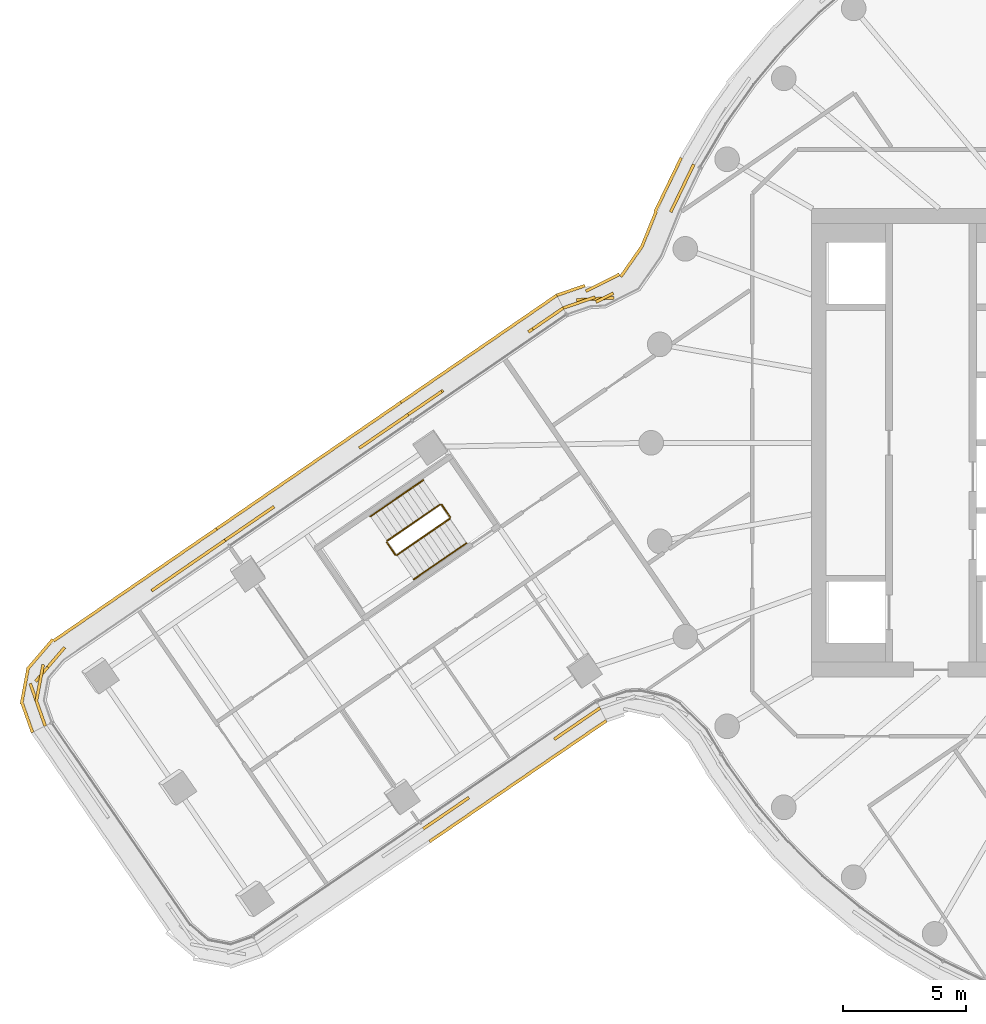
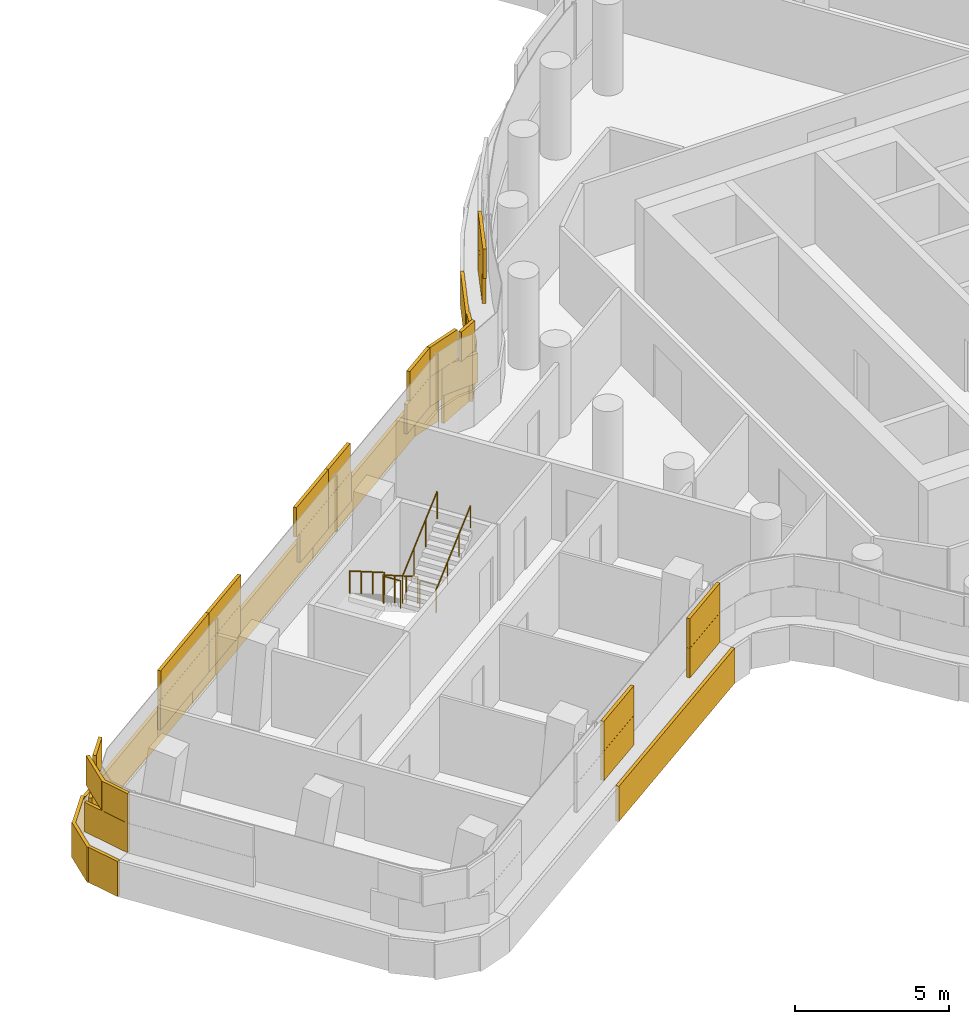
# One storey, part 29 of 33: 6 railings, 5 coverings.
"""IFC4 building model written with IfcOpenShell, lengths in metres."""

from ifc_helpers import new_model, si_unit, direction, frame, origin, origin_2d, place, context, subcontext, project, spatial, rectangle, circle, extrude, material, layer, layer_set, type_object, element, save


model = new_model("IFC4")

# Units and contexts
model_context = context("Model", 3, precision=1e-05, world=origin(), true_north=direction((0.0, 1.0)))
body_context = subcontext(model_context, "Body", "Model", "MODEL_VIEW")
ifc_project = project(units=[si_unit("LENGTHUNIT", "METRE"), si_unit("AREAUNIT", "SQUARE_METRE"), si_unit("VOLUMEUNIT", "CUBIC_METRE"), si_unit("PLANEANGLEUNIT", "RADIAN"), si_unit("MASSUNIT", "GRAM", prefix="KILO")], contexts=[model_context])

# Site, building, storey
site_placement = place(None, origin())
site = spatial("IfcSite", under=ifc_project, at=site_placement, CompositionType="ELEMENT")
building_placement = place(site_placement, origin())
building = spatial("IfcBuilding", under=site, at=building_placement, Name="Tamarind Cross Interchange Tower", CompositionType="ELEMENT")
storey_placement = place(building_placement, frame((0.0, 0.0, 159.25)))
storey = spatial("IfcBuildingStorey", under=building, at=storey_placement, Name="L39", CompositionType="ELEMENT", Elevation=159.25)

# Railings
ifc_material_1 = material(Name="Stair guard")
railing_type_1 = type_object("IfcRailingType", Name="Stair guard", PredefinedType="GUARDRAIL", material=ifc_material_1)
railing_1_placement = place(storey_placement, frame((-31.562744140625, -2.503173828125, 0.17041015625)))
element("IfcRailing", 1, at=railing_1_placement, inside=storey, type_object=railing_type_1, Name="L39 ST5 stair guard 1", PredefinedType="GUARDRAIL", context=body_context, shape_type="SweptSolid", body=[
    extrude(circle(Radius=0.02392578125, at=origin_2d()), frame((0.0, 0.0, 1.076171875), z_axis=(-0.689386001796, -0.473437544689, 0.548273500916), x_axis=(0.566110318979, -0.824329489188, 0.0)), (0.0, 0.0, 1.0), 3.109130859375),
    extrude(circle(Radius=0.02099609375, at=origin_2d()), origin(), (0.0, 0.0, 1.0), 1.052001953125),
    extrude(circle(Radius=0.02099609375, at=origin_2d()), frame((-0.71435546875, -0.49072265625, 0.568115234375)), (0.0, 0.0, 1.0), 1.052001953125),
    extrude(circle(Radius=0.02099609375, at=origin_2d()), frame((-1.428955078125, -0.981201171875, 1.136474609375)), (0.0, 0.0, 1.0), 1.052001953125),
    extrude(circle(Radius=0.02099609375, at=origin_2d()), frame((-2.143310546875, -1.471923828125, 1.70458984375)), (0.0, 0.0, 1.0), 1.052001953125),
])
railing_2_placement = place(storey_placement, frame((-33.718994140625, -4.04443359375, 1.875)))
element("IfcRailing", 2, at=railing_2_placement, inside=storey, type_object=railing_type_1, Name="L39 ST5 stair guard 2", PredefinedType="GUARDRAIL", context=body_context, shape_type="SweptSolid", body=[
    extrude(circle(Radius=0.02392578125, at=origin_2d()), frame((0.0, 0.0, 1.076171875), z_axis=(0.566010630303, -0.824397941764, 0.0), x_axis=(0.824397941764, 0.566010630303, 0.0)), (0.0, 0.0, 1.0), 0.60009765625),
    extrude(circle(Radius=0.02099609375, at=origin_2d()), origin(), (0.0, 0.0, 1.0), 1.052001953125),
    extrude(circle(Radius=0.02099609375, at=origin_2d()), frame((0.339599609375, -0.49462890625, 0.0)), (0.0, 0.0, 1.0), 1.052001953125),
])
railing_3_placement = place(storey_placement, frame((-33.309814453125, -4.552001953125, 2.04541015625)))
element("IfcRailing", 3, at=railing_3_placement, inside=storey, type_object=railing_type_1, Name="L39 ST5 stair guard 3", PredefinedType="GUARDRAIL", context=body_context, shape_type="SweptSolid", body=[
    extrude(circle(Radius=0.02392578125, at=origin_2d()), frame((0.0, 0.0, 1.076171875), z_axis=(0.689386001796, 0.473437544689, 0.548273500916), x_axis=(-0.566110318979, 0.824329489188, 0.0)), (0.0, 0.0, 1.0), 3.109130859375),
    extrude(circle(Radius=0.02099609375, at=origin_2d()), origin(), (0.0, 0.0, 1.0), 1.052001953125),
    extrude(circle(Radius=0.02099609375, at=origin_2d()), frame((0.71435546875, 0.49072265625, 0.568115234375)), (0.0, 0.0, 1.0), 1.052001953125),
    extrude(circle(Radius=0.02099609375, at=origin_2d()), frame((1.428955078125, 0.981201171875, 1.136474609375)), (0.0, 0.0, 1.0), 1.052001953125),
    extrude(circle(Radius=0.02099609375, at=origin_2d()), frame((2.143310546875, 1.471923828125, 1.70458984375)), (0.0, 0.0, 1.0), 1.052001953125),
])
railing_4_placement = place(storey_placement, frame((-31.4931640625, -2.51611328125, 0.0)))
element("IfcRailing", 4, at=railing_4_placement, inside=storey, type_object=railing_type_1, Name="L39 ST5 stair guard 4", PredefinedType="GUARDRAIL", context=body_context, shape_type="SweptSolid", body=[
    extrude(circle(Radius=0.02392578125, at=origin_2d()), frame((0.0, 0.0, 1.076171875), z_axis=(0.566010630303, -0.824397941764, 0.0), x_axis=(0.824397941764, 0.566010630303, 0.0)), (0.0, 0.0, 1.0), 0.60009765625),
    extrude(circle(Radius=0.02099609375, at=origin_2d()), origin(), (0.0, 0.0, 1.0), 1.052001953125),
    extrude(circle(Radius=0.02099609375, at=origin_2d()), frame((0.339599609375, -0.49462890625, 0.0)), (0.0, 0.0, 1.0), 1.052001953125),
])
ifc_material_2 = material(Name="Stair handrail")
railing_type_2 = type_object("IfcRailingType", Name="Stair handrail", PredefinedType="HANDRAIL", material=ifc_material_2)
railing_5_placement = place(storey_placement, frame((-32.2421875, -1.513916015625, 0.17041015625)))
element("IfcRailing", 5, at=railing_5_placement, inside=storey, type_object=railing_type_2, Name="L39 ST5 stair handrail 1", PredefinedType="HANDRAIL", context=body_context, shape_type="SweptSolid", body=[
    extrude(circle(Radius=0.02392578125, at=origin_2d()), frame((0.0, 0.0, 0.8759765625), z_axis=(-0.689386001796, -0.473437544689, 0.548273500916), x_axis=(0.566110318979, -0.824329489188, 0.0)), (0.0, 0.0, 1.0), 3.109130859375),
    extrude(circle(Radius=0.02099609375, at=origin_2d()), origin(), (0.0, 0.0, 1.0), 0.851806640625),
    extrude(circle(Radius=0.02099609375, at=origin_2d()), frame((-0.71435546875, -0.49072265625, 0.568115234375)), (0.0, 0.0, 1.0), 0.851806640625),
    extrude(circle(Radius=0.02099609375, at=origin_2d()), frame((-1.428955078125, -0.981201171875, 1.136474609375)), (0.0, 0.0, 1.0), 0.851806640625),
    extrude(circle(Radius=0.02099609375, at=origin_2d()), frame((-2.143310546875, -1.471923828125, 1.70458984375)), (0.0, 0.0, 1.0), 0.851806640625),
])
railing_6_placement = place(storey_placement, frame((-32.63037109375, -5.541259765625, 2.04541015625)))
element("IfcRailing", 6, at=railing_6_placement, inside=storey, type_object=railing_type_2, Name="L39 ST5 stair handrail 2", PredefinedType="HANDRAIL", context=body_context, shape_type="SweptSolid", body=[
    extrude(circle(Radius=0.02392578125, at=origin_2d()), frame((0.0, 0.0, 0.8759765625), z_axis=(0.689344791798, 0.473463174954, 0.54830318254), x_axis=(-0.56615414009, 0.824299393218, 0.0)), (0.0, 0.0, 1.0), 3.10888671875),
    extrude(circle(Radius=0.02099609375, at=origin_2d()), origin(), (0.0, 0.0, 1.0), 0.851806640625),
    extrude(circle(Radius=0.02099609375, at=origin_2d()), frame((0.71435546875, 0.49072265625, 0.568115234375)), (0.0, 0.0, 1.0), 0.851806640625),
    extrude(circle(Radius=0.02099609375, at=origin_2d()), frame((1.4287109375, 0.981201171875, 1.136474609375)), (0.0, 0.0, 1.0), 0.851806640625),
    extrude(circle(Radius=0.02099609375, at=origin_2d()), frame((2.14306640625, 1.471923828125, 1.70458984375)), (0.0, 0.0, 1.0), 0.851806640625),
])

# Coverings
ifc_material_3 = material(Name="Terracotta", Category="masonry")
ifc_layer = layer(ifc_material_3, 0.1201171875)
ifc_layer_set = layer_set([ifc_layer], Name="Terracotta")
covering_type = type_object("IfcCoveringType", Name="Terracotta baguette screen unit", PredefinedType="MOLDING", material=ifc_layer_set)
covering_1_placement = place(storey_placement, origin())
element("IfcCovering", 7, at=covering_1_placement, inside=storey, type_object=covering_type, Name="SCR-L39-01-01", PredefinedType="MOLDING", context=body_context, shape_type="SweptSolid", body=[
    extrude(rectangle(XDim=0.06640625, YDim=0.1201171875, at=origin_2d()), frame((-32.22412109375, -15.643798828125, 1.404052734375), z_axis=(0.0, 0.0, 1.0), x_axis=(0.825569418072, 0.564300572341, 0.0)), (0.0, 0.0, 1.0), 1.1669921875),
    extrude(rectangle(XDim=1.52001953125, YDim=0.1201171875, at=origin_2d()), frame((-31.581787109375, -15.20458984375, 1.404052734375), z_axis=(0.0, 0.0, 1.0), x_axis=(0.825569418072, 0.564300572341, 0.0)), (0.0, 0.0, 1.0), 1.1669921875),
    extrude(rectangle(XDim=0.6982421875, YDim=0.1201171875, at=origin_2d()), frame((-30.678466796875, -14.587158203125, 1.404052734375), z_axis=(0.0, 0.0, 1.0), x_axis=(0.825569418072, 0.564300572341, 0.0)), (0.0, 0.0, 1.0), 1.1669921875),
    extrude(rectangle(XDim=1.12158203125, YDim=0.1201171875, at=origin_2d()), frame((-26.468017578125, -11.709228515625, 1.404052734375), z_axis=(0.0, 0.0, 1.0), x_axis=(0.825569418072, 0.564300572341, 0.0)), (0.0, 0.0, 1.0), 1.1669921875),
    extrude(rectangle(XDim=1.14306640625, YDim=0.1201171875, at=origin_2d()), frame((-25.54150390625, -11.075927734375, 1.404052734375), z_axis=(0.0, 0.0, 1.0), x_axis=(0.825569418072, 0.564300572341, 0.0)), (0.0, 0.0, 1.0), 1.1669921875),
    extrude(rectangle(XDim=0.81640625, YDim=0.1201171875, at=origin_2d()), frame((-31.91455078125, -15.43212890625, 2.5791015625), z_axis=(0.0, 0.0, 1.0), x_axis=(0.825569418072, 0.564300572341, 0.0)), (0.0, 0.0, 1.0), 1.1669921875),
    extrude(rectangle(XDim=1.4482421875, YDim=0.1201171875, at=origin_2d()), frame((-30.988037109375, -14.798828125, 2.5791015625), z_axis=(0.0, 0.0, 1.0), x_axis=(0.825569418072, 0.564300572341, 0.0)), (0.0, 0.0, 1.0), 1.1669921875),
    extrude(rectangle(XDim=0.37158203125, YDim=0.1201171875, at=origin_2d()), frame((-26.777587890625, -11.9208984375, 2.5791015625), z_axis=(0.0, 0.0, 1.0), x_axis=(0.825569418072, 0.564300572341, 0.0)), (0.0, 0.0, 1.0), 1.1669921875),
    extrude(rectangle(XDim=1.52001953125, YDim=0.1201171875, at=origin_2d()), frame((-26.009033203125, -11.3955078125, 2.5791015625), z_axis=(0.0, 0.0, 1.0), x_axis=(0.825569418072, 0.564300572341, 0.0)), (0.0, 0.0, 1.0), 1.1669921875),
    extrude(rectangle(XDim=0.39306640625, YDim=0.1201171875, at=origin_2d()), frame((-25.23193359375, -10.8642578125, 2.5791015625), z_axis=(0.0, 0.0, 1.0), x_axis=(0.825569418072, 0.564300572341, 0.0)), (0.0, 0.0, 1.0), 1.1669921875),
    extrude(rectangle(XDim=0.06787109375, YDim=0.1201171875, at=origin_2d()), frame((-31.958740234375, -16.157470703125, 0.00390625), z_axis=(0.0, 0.0, 1.0), x_axis=(0.825569418072, 0.564300572341, 0.0)), (0.0, 0.0, 1.0), 1.39208984375),
    extrude(rectangle(XDim=1.52001953125, YDim=0.1201171875, at=origin_2d()), frame((-31.319580078125, -15.720703125, 0.00390625), z_axis=(0.0, 0.0, 1.0), x_axis=(0.825569418072, 0.564300572341, 0.0)), (0.0, 0.0, 1.0), 1.39208984375),
    extrude(rectangle(XDim=1.52001953125, YDim=0.1201171875, at=origin_2d()), frame((-30.081298828125, -14.874267578125, 0.00390625), z_axis=(0.0, 0.0, 1.0), x_axis=(0.825569418072, 0.564300572341, 0.0)), (0.0, 0.0, 1.0), 1.39208984375),
    extrude(rectangle(XDim=1.52001953125, YDim=0.1201171875, at=origin_2d()), frame((-28.843017578125, -14.02783203125, 0.00390625), z_axis=(0.0, 0.0, 1.0), x_axis=(0.825569418072, 0.564300572341, 0.0)), (0.0, 0.0, 1.0), 1.39208984375),
    extrude(rectangle(XDim=1.52001953125, YDim=0.1201171875, at=origin_2d()), frame((-27.604736328125, -13.181396484375, 0.00390625), z_axis=(0.0, 0.0, 1.0), x_axis=(0.825569418072, 0.564300572341, 0.0)), (0.0, 0.0, 1.0), 1.39208984375),
    extrude(rectangle(XDim=1.52001953125, YDim=0.1201171875, at=origin_2d()), frame((-26.3662109375, -12.3349609375, 0.00390625), z_axis=(0.0, 0.0, 1.0), x_axis=(0.825569418072, 0.564300572341, 0.0)), (0.0, 0.0, 1.0), 1.39208984375),
    extrude(rectangle(XDim=1.139892578125, YDim=0.1201171875, at=origin_2d()), frame((-25.284912109375, -11.595703125, 0.00390625), z_axis=(0.0, 0.0, 1.0), x_axis=(0.825569418072, 0.564300572341, 0.0)), (0.0, 0.0, 1.0), 1.39208984375),
])
covering_2_placement = place(storey_placement, origin())
element("IfcCovering", 8, at=covering_2_placement, inside=storey, type_object=covering_type, Name="SCR-L39-14-01", PredefinedType="MOLDING", context=body_context, shape_type="SweptSolid", body=[
    extrude(rectangle(XDim=0.378173828125, YDim=0.1201171875, at=origin_2d()), frame((-21.351806640625, 11.124755859375, 1.404052734375), z_axis=(0.0, 0.0, 1.0), x_axis=(-0.435326231914, -0.900272776334, 0.0)), (0.0, 0.0, 1.0), 1.1669921875),
    extrude(rectangle(XDim=1.52001953125, YDim=0.1201171875, at=origin_2d()), frame((-21.758544921875, 10.28369140625, 1.404052734375), z_axis=(0.0, 0.0, 1.0), x_axis=(-0.435326231914, -0.900272776334, 0.0)), (0.0, 0.0, 1.0), 1.1669921875),
    extrude(rectangle(XDim=1.52001953125, YDim=0.1201171875, at=origin_2d()), frame((-25.26513671875, 5.83837890625, 1.404052734375), z_axis=(0.0, 0.0, 1.0), x_axis=(-0.998167849508, -0.06050573699, 0.0)), (0.0, 0.0, 1.0), 1.1669921875),
    extrude(rectangle(XDim=0.618408203125, YDim=0.1201171875, at=origin_2d()), frame((-26.27587890625, 5.565673828125, 1.404052734375), z_axis=(0.0, 0.0, 1.0), x_axis=(-0.945668366793, -0.325132803709, 0.0)), (0.0, 0.0, 1.0), 1.1669921875),
    extrude(rectangle(XDim=1.128173828125, YDim=0.1201171875, at=origin_2d()), frame((-21.51513671875, 10.787109375, 2.5791015625), z_axis=(0.0, 0.0, 1.0), x_axis=(-0.435326231914, -0.900272776334, 0.0)), (0.0, 0.0, 1.0), 1.1669921875),
    extrude(rectangle(XDim=1.030029296875, YDim=0.1201171875, at=origin_2d()), frame((-21.980712890625, 9.82470703125, 2.5791015625), z_axis=(0.0, 0.0, 1.0), x_axis=(-0.435326231914, -0.900272776334, 0.0)), (0.0, 0.0, 1.0), 1.1669921875),
    extrude(rectangle(XDim=0.789794921875, YDim=0.1201171875, at=origin_2d()), frame((-24.883056640625, 5.888916015625, 2.5791015625), z_axis=(0.0, 0.0, 1.0), x_axis=(-0.892425905766, -0.451193974602, 0.0)), (0.0, 0.0, 1.0), 1.1669921875),
    extrude(rectangle(XDim=1.368408203125, YDim=0.1201171875, at=origin_2d()), frame((-25.92138671875, 5.687744140625, 2.5791015625), z_axis=(0.0, 0.0, 1.0), x_axis=(-0.945668366793, -0.325132803709, 0.0)), (0.0, 0.0, 1.0), 1.1669921875),
    extrude(rectangle(XDim=0.930419921875, YDim=0.1201171875, at=origin_2d()), frame((-21.9814453125, 11.141357421875, 0.00390625), z_axis=(0.0, 0.0, 1.0), x_axis=(-0.435326231914, -0.900272776334, 0.0)), (0.0, 0.0, 1.0), 1.39208984375),
    extrude(rectangle(XDim=1.52001953125, YDim=0.1201171875, at=origin_2d()), frame((-22.506103515625, 10.056396484375, 0.00390625), z_axis=(0.0, 0.0, 1.0), x_axis=(-0.435326231914, -0.900272776334, 0.0)), (0.0, 0.0, 1.0), 1.39208984375),
    extrude(rectangle(XDim=1.52001953125, YDim=0.1201171875, at=origin_2d()), frame((-23.085693359375, 8.67333984375, 0.00390625), z_axis=(0.0, 0.0, 1.0), x_axis=(-0.375587834358, -0.926786803252, 0.0)), (0.0, 0.0, 1.0), 1.39208984375),
    extrude(rectangle(XDim=1.52001953125, YDim=0.1201171875, at=origin_2d()), frame((-23.794189453125, 7.36181640625, 0.00390625), z_axis=(0.0, 0.0, 1.0), x_axis=(-0.572981287881, -0.819568449697, 0.0)), (0.0, 0.0, 1.0), 1.39208984375),
    extrude(rectangle(XDim=1.52001953125, YDim=0.1201171875, at=origin_2d()), frame((-24.964599609375, 6.490966796875, 0.00390625), z_axis=(0.0, 0.0, 1.0), x_axis=(-0.892425905766, -0.451193974602, 0.0)), (0.0, 0.0, 1.0), 1.39208984375),
    extrude(rectangle(XDim=1.20458984375, YDim=0.1201171875, at=origin_2d()), frame((-26.254638671875, 6.18017578125, 0.00390625), z_axis=(0.0, 0.0, 1.0), x_axis=(-0.945668366793, -0.325132803709, 0.0)), (0.0, 0.0, 1.0), 1.39208984375),
])
covering_3_placement = place(storey_placement, origin())
element("IfcCovering", 9, at=covering_3_placement, inside=storey, type_object=covering_type, Name="SCR-L39-15-00", PredefinedType="MOLDING", context=body_context, shape_type="SweptSolid", body=[
    extrude(rectangle(XDim=0.760009765625, YDim=0.1201171875, at=origin_2d()), frame((-26.872802734375, 5.254638671875, 1.404052734375), z_axis=(0.0, 0.0, 1.0), x_axis=(-0.824339660174, -0.566095508429, 0.0)), (0.0, 0.0, 1.0), 1.1669921875),
    extrude(rectangle(XDim=0.973876953125, YDim=0.1201171875, at=origin_2d()), frame((-27.5791015625, 4.76953125, 1.404052734375), z_axis=(0.0, 0.0, 1.0), x_axis=(-0.824339660174, -0.566095508429, 0.0)), (0.0, 0.0, 1.0), 1.1669921875),
    extrude(rectangle(XDim=0.845947265625, YDim=0.1201171875, at=origin_2d()), frame((-31.783447265625, 1.88232421875, 1.404052734375), z_axis=(0.0, 0.0, 1.0), x_axis=(-0.824339660174, -0.566095508429, 0.0)), (0.0, 0.0, 1.0), 1.1669921875),
    extrude(rectangle(XDim=0.887939453125, YDim=0.1201171875, at=origin_2d()), frame((-32.48974609375, 1.397216796875, 1.404052734375), z_axis=(0.0, 0.0, 1.0), x_axis=(-0.824339660174, -0.566095508429, 0.0)), (0.0, 0.0, 1.0), 1.1669921875),
    extrude(rectangle(XDim=1.510009765625, YDim=0.1201171875, at=origin_2d()), frame((-27.181884765625, 5.042236328125, 2.5791015625), z_axis=(0.0, 0.0, 1.0), x_axis=(-0.824339660174, -0.566095508429, 0.0)), (0.0, 0.0, 1.0), 1.1669921875),
    extrude(rectangle(XDim=1.52001953125, YDim=0.1201171875, at=origin_2d()), frame((-32.1279296875, 1.645751953125, 2.5791015625), z_axis=(0.0, 0.0, 1.0), x_axis=(-0.824339660174, -0.566095508429, 0.0)), (0.0, 0.0, 1.0), 1.1669921875),
    extrude(rectangle(XDim=0.137939453125, YDim=0.1201171875, at=origin_2d()), frame((-32.798828125, 1.18505859375, 2.5791015625), z_axis=(0.0, 0.0, 1.0), x_axis=(-0.824339660174, -0.566095508429, 0.0)), (0.0, 0.0, 1.0), 1.1669921875),
    extrude(rectangle(XDim=0.760009765625, YDim=0.1201171875, at=origin_2d()), frame((-27.137451171875, 5.76904296875, 0.00390625), z_axis=(0.0, 0.0, 1.0), x_axis=(-0.824339660174, -0.566095508429, 0.0)), (0.0, 0.0, 1.0), 1.39208984375),
    extrude(rectangle(XDim=1.52001953125, YDim=0.1201171875, at=origin_2d()), frame((-28.060546875, 5.135009765625, 0.00390625), z_axis=(0.0, 0.0, 1.0), x_axis=(-0.824339660174, -0.566095508429, 0.0)), (0.0, 0.0, 1.0), 1.39208984375),
    extrude(rectangle(XDim=1.52001953125, YDim=0.1201171875, at=origin_2d()), frame((-29.297119140625, 4.285888671875, 0.00390625), z_axis=(0.0, 0.0, 1.0), x_axis=(-0.824339660174, -0.566095508429, 0.0)), (0.0, 0.0, 1.0), 1.39208984375),
    extrude(rectangle(XDim=1.52001953125, YDim=0.1201171875, at=origin_2d()), frame((-30.53369140625, 3.436767578125, 0.00390625), z_axis=(0.0, 0.0, 1.0), x_axis=(-0.824339660174, -0.566095508429, 0.0)), (0.0, 0.0, 1.0), 1.39208984375),
    extrude(rectangle(XDim=1.52001953125, YDim=0.1201171875, at=origin_2d()), frame((-31.770263671875, 2.587646484375, 0.00390625), z_axis=(0.0, 0.0, 1.0), x_axis=(-0.824339660174, -0.566095508429, 0.0)), (0.0, 0.0, 1.0), 1.39208984375),
    extrude(rectangle(XDim=0.93505859375, YDim=0.1201171875, at=origin_2d()), frame((-32.765625, 1.904052734375, 0.00390625), z_axis=(0.0, 0.0, 1.0), x_axis=(-0.824339660174, -0.566095508429, 0.0)), (0.0, 0.0, 1.0), 1.39208984375),
])
covering_4_placement = place(storey_placement, origin())
element("IfcCovering", 10, at=covering_4_placement, inside=storey, type_object=covering_type, Name="SCR-L39-15-01", PredefinedType="MOLDING", context=body_context, shape_type="SweptSolid", body=[
    extrude(rectangle(XDim=0.632080078125, YDim=0.1201171875, at=origin_2d()), frame((-33.10791015625, 0.97265625, 1.404052734375), z_axis=(0.0, 0.0, 1.0), x_axis=(-0.824339660174, -0.566095508429, 0.0)), (0.0, 0.0, 1.0), 1.1669921875),
    extrude(rectangle(XDim=1.52001953125, YDim=0.1201171875, at=origin_2d()), frame((-33.982666015625, 0.3720703125, 1.404052734375), z_axis=(0.0, 0.0, 1.0), x_axis=(-0.824339660174, -0.566095508429, 0.0)), (0.0, 0.0, 1.0), 1.1669921875),
    extrude(rectangle(XDim=1.52001953125, YDim=0.1201171875, at=origin_2d()), frame((-38.9287109375, -3.024658203125, 1.404052734375), z_axis=(0.0, 0.0, 1.0), x_axis=(-0.824339660174, -0.566095508429, 0.0)), (0.0, 0.0, 1.0), 1.1669921875),
    extrude(rectangle(XDim=0.896728515625, YDim=0.1201171875, at=origin_2d()), frame((-39.912353515625, -3.7001953125, 1.404052734375), z_axis=(0.0, 0.0, 1.0), x_axis=(-0.824339660174, -0.566095508429, 0.0)), (0.0, 0.0, 1.0), 1.1669921875),
    extrude(rectangle(XDim=1.382080078125, YDim=0.1201171875, at=origin_2d()), frame((-33.417236328125, 0.76025390625, 2.5791015625), z_axis=(0.0, 0.0, 1.0), x_axis=(-0.824339660174, -0.566095508429, 0.0)), (0.0, 0.0, 1.0), 1.1669921875),
    extrude(rectangle(XDim=1.042236328125, YDim=0.1201171875, at=origin_2d()), frame((-34.408203125, 0.079833984375, 2.5791015625), z_axis=(0.0, 0.0, 1.0), x_axis=(-0.824339660174, -0.566095508429, 0.0)), (0.0, 0.0, 1.0), 1.1669921875),
    extrude(rectangle(XDim=0.77783203125, YDim=0.1201171875, at=origin_2d()), frame((-38.6123046875, -2.807373046875, 2.5791015625), z_axis=(0.0, 0.0, 1.0), x_axis=(-0.824339660174, -0.566095508429, 0.0)), (0.0, 0.0, 1.0), 1.1669921875),
    extrude(rectangle(XDim=1.52001953125, YDim=0.1201171875, at=origin_2d()), frame((-39.546875, -3.44921875, 2.5791015625), z_axis=(0.0, 0.0, 1.0), x_axis=(-0.824339660174, -0.566095508429, 0.0)), (0.0, 0.0, 1.0), 1.1669921875),
    extrude(rectangle(XDim=0.146728515625, YDim=0.1201171875, at=origin_2d()), frame((-40.221435546875, -3.912353515625, 2.5791015625), z_axis=(0.0, 0.0, 1.0), x_axis=(-0.824339660174, -0.566095508429, 0.0)), (0.0, 0.0, 1.0), 1.1669921875),
    extrude(rectangle(XDim=0.5849609375, YDim=0.1201171875, at=origin_2d()), frame((-33.39208984375, 1.473876953125, 0.00390625), z_axis=(0.0, 0.0, 1.0), x_axis=(-0.824339660174, -0.566095508429, 0.0)), (0.0, 0.0, 1.0), 1.39208984375),
    extrude(rectangle(XDim=1.52001953125, YDim=0.1201171875, at=origin_2d()), frame((-34.2431640625, 0.889404296875, 0.00390625), z_axis=(0.0, 0.0, 1.0), x_axis=(-0.824339660174, -0.566095508429, 0.0)), (0.0, 0.0, 1.0), 1.39208984375),
    extrude(rectangle(XDim=1.52001953125, YDim=0.1201171875, at=origin_2d()), frame((-35.479736328125, 0.040283203125, 0.00390625), z_axis=(0.0, 0.0, 1.0), x_axis=(-0.824339660174, -0.566095508429, 0.0)), (0.0, 0.0, 1.0), 1.39208984375),
    extrude(rectangle(XDim=1.52001953125, YDim=0.1201171875, at=origin_2d()), frame((-36.71630859375, -0.808837890625, 0.00390625), z_axis=(0.0, 0.0, 1.0), x_axis=(-0.824339660174, -0.566095508429, 0.0)), (0.0, 0.0, 1.0), 1.39208984375),
    extrude(rectangle(XDim=1.52001953125, YDim=0.1201171875, at=origin_2d()), frame((-37.95263671875, -1.657958984375, 0.00390625), z_axis=(0.0, 0.0, 1.0), x_axis=(-0.824339660174, -0.566095508429, 0.0)), (0.0, 0.0, 1.0), 1.39208984375),
    extrude(rectangle(XDim=1.52001953125, YDim=0.1201171875, at=origin_2d()), frame((-39.189208984375, -2.507080078125, 0.00390625), z_axis=(0.0, 0.0, 1.0), x_axis=(-0.824339660174, -0.566095508429, 0.0)), (0.0, 0.0, 1.0), 1.39208984375),
    extrude(rectangle(XDim=0.99951171875, YDim=0.1201171875, at=origin_2d()), frame((-40.211181640625, -3.208984375, 0.00390625), z_axis=(0.0, 0.0, 1.0), x_axis=(-0.824339660174, -0.566095508429, 0.0)), (0.0, 0.0, 1.0), 1.39208984375),
])
covering_5_placement = place(storey_placement, origin())
element("IfcCovering", 11, at=covering_5_placement, inside=storey, type_object=covering_type, Name="SCR-L39-15-02", PredefinedType="MOLDING", context=body_context, shape_type="SweptSolid", body=[
    extrude(rectangle(XDim=0.623291015625, YDim=0.1201171875, at=origin_2d()), frame((-40.53076171875, -4.124755859375, 1.404052734375), z_axis=(0.0, 0.0, 1.0), x_axis=(-0.824339660174, -0.566095508429, 0.0)), (0.0, 0.0, 1.0), 1.1669921875),
    extrude(rectangle(XDim=1.52001953125, YDim=0.1201171875, at=origin_2d()), frame((-41.40185546875, -4.722900390625, 1.404052734375), z_axis=(0.0, 0.0, 1.0), x_axis=(-0.824339660174, -0.566095508429, 0.0)), (0.0, 0.0, 1.0), 1.1669921875),
    extrude(rectangle(XDim=1.52001953125, YDim=0.1201171875, at=origin_2d()), frame((-42.63818359375, -5.572021484375, 1.404052734375), z_axis=(0.0, 0.0, 1.0), x_axis=(-0.824339660174, -0.566095508429, 0.0)), (0.0, 0.0, 1.0), 1.1669921875),
    extrude(rectangle(XDim=1.52001953125, YDim=0.1201171875, at=origin_2d()), frame((-47.46875, -9.096923828125, 1.404052734375), z_axis=(0.0, 0.0, 1.0), x_axis=(-0.649734668468, -0.760161075424, 0.0)), (0.0, 0.0, 1.0), 1.1669921875),
    extrude(rectangle(XDim=1.52001953125, YDim=0.1201171875, at=origin_2d()), frame((-47.9306640625, -10.47998046875, 1.404052734375), z_axis=(0.0, 0.0, 1.0), x_axis=(0.333451468051, -0.942767266325, 0.0)), (0.0, 0.0, 1.0), 1.1669921875),
    extrude(rectangle(XDim=0.324462890625, YDim=0.1201171875, at=origin_2d()), frame((-47.628173828125, -11.33544921875, 1.404052734375), z_axis=(0.0, 0.0, 1.0), x_axis=(0.333451468051, -0.942767266325, 0.0)), (0.0, 0.0, 1.0), 1.1669921875),
    extrude(rectangle(XDim=1.373291015625, YDim=0.1201171875, at=origin_2d()), frame((-40.83984375, -4.3369140625, 2.5791015625), z_axis=(0.0, 0.0, 1.0), x_axis=(-0.824339660174, -0.566095508429, 0.0)), (0.0, 0.0, 1.0), 1.1669921875),
    extrude(rectangle(XDim=1.52001953125, YDim=0.1201171875, at=origin_2d()), frame((-42.02001953125, -5.1474609375, 2.5791015625), z_axis=(0.0, 0.0, 1.0), x_axis=(-0.824339660174, -0.566095508429, 0.0)), (0.0, 0.0, 1.0), 1.1669921875),
    extrude(rectangle(XDim=0.760498046875, YDim=0.1201171875, at=origin_2d()), frame((-42.947509765625, -5.784423828125, 2.5791015625), z_axis=(0.0, 0.0, 1.0), x_axis=(-0.824339660174, -0.566095508429, 0.0)), (0.0, 0.0, 1.0), 1.1669921875),
    extrude(rectangle(XDim=1.059326171875, YDim=0.1201171875, at=origin_2d()), frame((-47.1279296875, -8.697998046875, 2.5791015625), z_axis=(0.0, 0.0, 1.0), x_axis=(-0.649734668468, -0.760161075424, 0.0)), (0.0, 0.0, 1.0), 1.1669921875),
    extrude(rectangle(XDim=1.52001953125, YDim=0.1201171875, at=origin_2d()), frame((-47.797119140625, -9.742919921875, 2.5791015625), z_axis=(0.0, 0.0, 1.0), x_axis=(-0.182606190901, -0.98318613652, 0.0)), (0.0, 0.0, 1.0), 1.1669921875),
    extrude(rectangle(XDim=1.074462890625, YDim=0.1201171875, at=origin_2d()), frame((-47.753173828125, -10.98193359375, 2.5791015625), z_axis=(0.0, 0.0, 1.0), x_axis=(0.333451468051, -0.942767266325, 0.0)), (0.0, 0.0, 1.0), 1.1669921875),
    extrude(rectangle(XDim=0.5205078125, YDim=0.1201171875, at=origin_2d()), frame((-40.837646484375, -3.63916015625, 0.00390625), z_axis=(0.0, 0.0, 1.0), x_axis=(-0.824339660174, -0.566095508429, 0.0)), (0.0, 0.0, 1.0), 1.39208984375),
    extrude(rectangle(XDim=1.52001953125, YDim=0.1201171875, at=origin_2d()), frame((-41.662353515625, -4.20556640625, 0.00390625), z_axis=(0.0, 0.0, 1.0), x_axis=(-0.824339660174, -0.566095508429, 0.0)), (0.0, 0.0, 1.0), 1.39208984375),
    extrude(rectangle(XDim=1.52001953125, YDim=0.1201171875, at=origin_2d()), frame((-42.898681640625, -5.0546875, 0.00390625), z_axis=(0.0, 0.0, 1.0), x_axis=(-0.824339660174, -0.566095508429, 0.0)), (0.0, 0.0, 1.0), 1.39208984375),
    extrude(rectangle(XDim=1.52001953125, YDim=0.1201171875, at=origin_2d()), frame((-44.13525390625, -5.90380859375, 0.00390625), z_axis=(0.0, 0.0, 1.0), x_axis=(-0.824339660174, -0.566095508429, 0.0)), (0.0, 0.0, 1.0), 1.39208984375),
    extrude(rectangle(XDim=1.52001953125, YDim=0.1201171875, at=origin_2d()), frame((-45.371826171875, -6.7529296875, 0.00390625), z_axis=(0.0, 0.0, 1.0), x_axis=(-0.824339660174, -0.566095508429, 0.0)), (0.0, 0.0, 1.0), 1.39208984375),
    extrude(rectangle(XDim=1.52001953125, YDim=0.1201171875, at=origin_2d()), frame((-46.6083984375, -7.60205078125, 0.00390625), z_axis=(0.0, 0.0, 1.0), x_axis=(-0.824339660174, -0.566095508429, 0.0)), (0.0, 0.0, 1.0), 1.39208984375),
    extrude(rectangle(XDim=1.52001953125, YDim=0.1201171875, at=origin_2d()), frame((-47.756103515625, -8.5498046875, 0.00390625), z_axis=(0.0, 0.0, 1.0), x_axis=(-0.649734668468, -0.760161075424, 0.0)), (0.0, 0.0, 1.0), 1.39208984375),
    extrude(rectangle(XDim=1.52001953125, YDim=0.1201171875, at=origin_2d()), frame((-48.400390625, -9.84765625, 0.00390625), z_axis=(0.0, 0.0, 1.0), x_axis=(-0.182606190901, -0.98318613652, 0.0)), (0.0, 0.0, 1.0), 1.39208984375),
    extrude(rectangle(XDim=1.24462890625, YDim=0.1201171875, at=origin_2d()), frame((-48.299072265625, -11.15966796875, 0.00390625), z_axis=(0.0, 0.0, 1.0), x_axis=(0.333451468051, -0.942767266325, 0.0)), (0.0, 0.0, 1.0), 1.39208984375),
])

save(model, "model.ifc")
